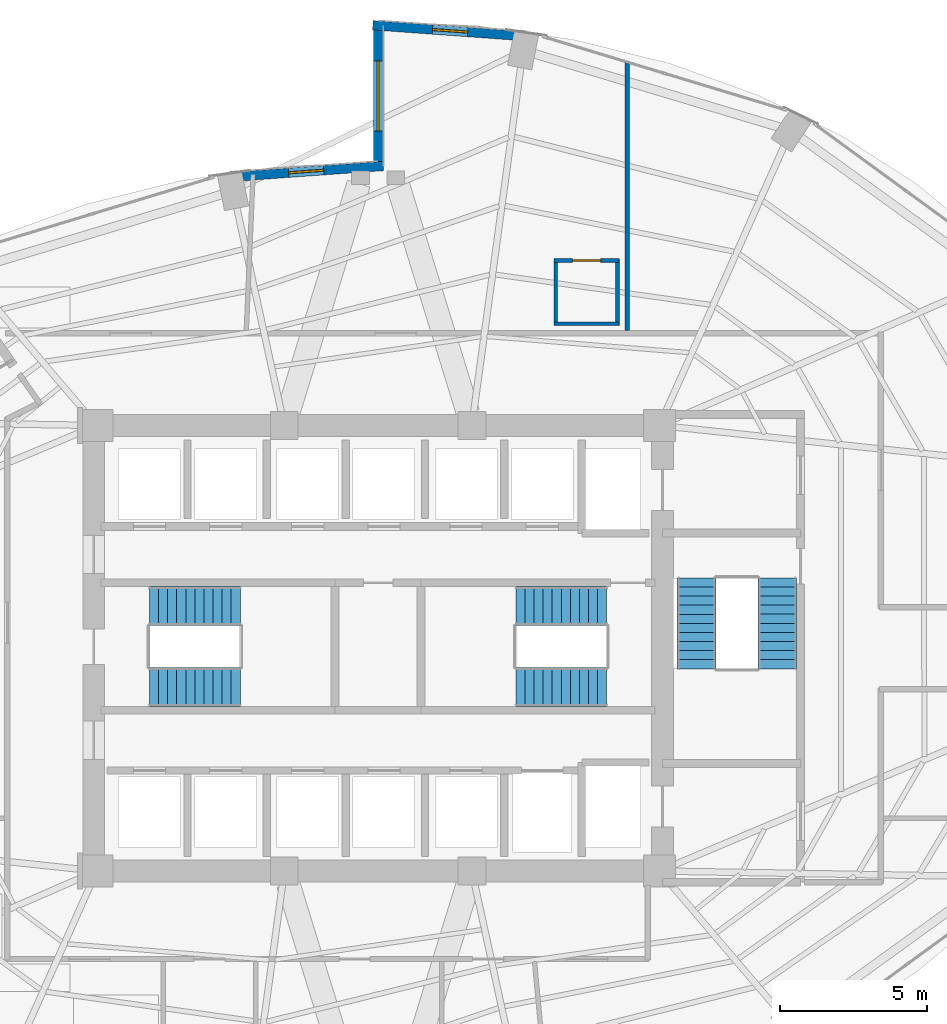
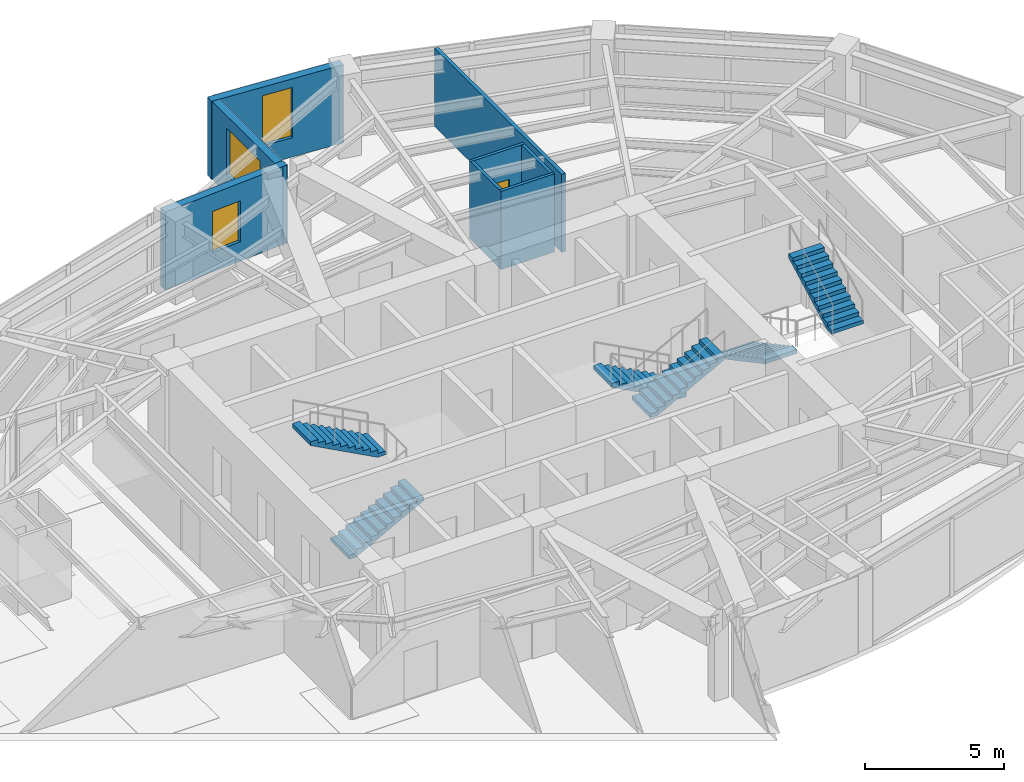
# One storey, part 22 of 24: 8 walls, 6 stair flights, 3 windows, 1 door, 4 openings, 3 elements without a shape of their own.
"""IFC4 building model written with IfcOpenShell, lengths in metres."""

from ifc_helpers import new_model, si_unit, direction, frame, frame_2d, origin, place, context, subcontext, project, spatial, polyline, rectangle, outline, extrude, material, layer, layer_set, type_object, element, fill, aggregate, save


model = new_model("IFC4")

# Units and contexts
model_context = context("Model", 3, precision=1e-05, world=origin(), true_north=direction((0.0, 1.0)))
body_context = subcontext(model_context, "Body", "Model", "MODEL_VIEW")
ifc_project = project(units=[si_unit("LENGTHUNIT", "METRE"), si_unit("AREAUNIT", "SQUARE_METRE"), si_unit("VOLUMEUNIT", "CUBIC_METRE"), si_unit("PLANEANGLEUNIT", "RADIAN"), si_unit("MASSUNIT", "GRAM", prefix="KILO")], contexts=[model_context])

# Site, building, storey
site_placement = place(None, origin())
site = spatial("IfcSite", under=ifc_project, at=site_placement, CompositionType="ELEMENT")
building_placement = place(site_placement, origin())
building = spatial("IfcBuilding", under=site, at=building_placement, Name="Lazwardi Medical Tower", CompositionType="ELEMENT")
storey_placement = place(building_placement, frame((0.0, 0.0, 118.22412109375)))
storey = spatial("IfcBuildingStorey", under=building, at=storey_placement, Name="L30", CompositionType="ELEMENT", Elevation=118.22412109375)

# Wall, opening, door
ifc_material_1 = material(Name="Moisture-resistant gypsum board partition")
ifc_layer_1 = layer(ifc_material_1, 0.125)
ifc_layer_set_1 = layer_set([ifc_layer_1], Name="Moisture-resistant gypsum board partition")
wall_type_1 = type_object("IfcWallType", Name="WL-ENS-125", PredefinedType="PARTITIONING", material=ifc_layer_set_1)
wall_1_placement = place(storey_placement, frame((42.0048828125, 41.22509765625, 0.0), z_axis=(0.0, 0.0, 1.0), x_axis=(1.0, 0.0, 0.0)))
wall_1 = element("IfcWall", 1, at=wall_1_placement, inside=storey, type_object=wall_type_1, Name="L30 En-suite wall 7N", PredefinedType="PARTITIONING", context=body_context, shape_type="SweptSolid", body=[
    extrude(rectangle(XDim=2.22021484375, YDim=0.125, at=frame_2d((1.110107421875, 0.0))), origin(), (0.0, 0.0, 1.0), 3.427978515625),
])
opening_1_placement = place(wall_1_placement, frame((0.635009765625, 0.0, 0.0)))
opening_1 = element("IfcOpeningElement", 2, at=opening_1_placement, cuts=wall_1, Name="Opening D-L30-002", PredefinedType="OPENING", context=body_context, shape_type="SweptSolid", body=[
    extrude(rectangle(XDim=0.949951171875, YDim=2.10009765625, at=frame_2d((0.47509765625, 1.050048828125))), frame((0.0, 0.072509765625, 0.0), z_axis=(0.0, -1.0, 0.0), x_axis=(1.0, 0.0, 0.0)), (0.0, 0.0, 1.0), 0.14501953125),
])
ifc_material_2 = material(Name="Moisture-resistant laminate door leaf")
door_type = type_object("IfcDoorType", Name="DR-ENS-950", OperationType="NOTDEFINED", PredefinedType="DOOR", material=ifc_material_2)
door_placement = place(opening_1_placement, origin())
door = element("IfcDoor", 3, at=door_placement, inside=storey, type_object=door_type, Name="L30 En-suite Door 07", OperationType="SINGLE_SWING_RIGHT", OverallHeight=2.10009765625, OverallWidth=0.949951171875, PredefinedType="DOOR", context=body_context, shape_type="SweptSolid", body=[
    extrude(rectangle(XDim=0.949951171875, YDim=2.10009765625, at=frame_2d((0.47509765625, 1.050048828125))), frame((0.0, 0.02490234375, 0.0), z_axis=(0.0, -1.0, 0.0), x_axis=(1.0, 0.0, 0.0)), (0.0, 0.0, 1.0), 0.050048828125),
])
fill(opening_1, door)

# Walls
wall_2_placement = place(storey_placement, frame((42.0048828125, 39.06494140625, 0.0), z_axis=(0.0, 0.0, 1.0), x_axis=(1.0, 0.0, 0.0)))
element("IfcWall", 4, at=wall_2_placement, inside=storey, type_object=wall_type_1, Name="L30 En-suite wall 7S", PredefinedType="PARTITIONING", context=body_context, shape_type="SweptSolid", body=[
    extrude(rectangle(XDim=2.22021484375, YDim=0.125, at=frame_2d((1.110107421875, 0.0))), origin(), (0.0, 0.0, 1.0), 3.427978515625),
])
for number, where, z_axis, x_axis, name in (
    (5, (44.1650390625, 39.0048828125, 0.0), (0.0, 0.0, 1.0), (0.0, 1.0, 0.0), "L30 En-suite wall 7E"),
    (6, (42.06494140625, 39.0048828125, 0.0), (0.0, 0.0, 1.0), (0.0, 1.0, 0.0), "L30 En-suite wall 7W"),
):
    element("IfcWall", number, at=place(storey_placement, frame(where, z_axis=z_axis, x_axis=x_axis)), inside=storey, type_object=wall_type_1, Name=name, PredefinedType="PARTITIONING", context=body_context, shape_type="SweptSolid", body=[
        extrude(rectangle(XDim=2.280029296875, YDim=0.125, at=frame_2d((1.14013671875, 0.0))), origin(), (0.0, 0.0, 1.0), 3.427978515625),
    ])

# Wall, opening, window
ifc_material_3 = material(Name="Precast concrete C45/55", Category="concrete")
ifc_layer_2 = layer(ifc_material_3, 0.320068359375)
ifc_layer_set_2 = layer_set([ifc_layer_2], Name="Precast concrete C45/55")
wall_type_2 = type_object("IfcWallType", Name="WL-IWAN-320", PredefinedType="SOLIDWALL", material=ifc_layer_set_2)
wall_3_placement = place(storey_placement, frame((41.091064453125, 48.87451171875, 0.0), z_axis=(0.0, 0.0, 1.0), x_axis=(-0.997432364291, 0.071614793619, 0.0)))
wall_3 = element("IfcWall", 7, at=wall_3_placement, inside=storey, type_object=wall_type_2, Name="L30 Iwan Portal Return Wall NE_ret", PredefinedType="SOLIDWALL", context=body_context, shape_type="SweptSolid", body=[
    extrude(rectangle(XDim=5.2841796875, YDim=0.320068359375, at=frame_2d((2.64208984375, 0.0))), origin(), (0.0, 0.0, 1.0), 3.427978515625),
])
opening_2_placement = place(wall_3_placement, frame((2.0419921875, 0.0, 0.85009765625)))
opening_2 = element("IfcOpeningElement", 8, at=opening_2_placement, cuts=wall_3, Name="Opening WN-01", PredefinedType="OPENING", context=body_context, shape_type="SweptSolid", body=[
    extrude(rectangle(XDim=1.199951171875, YDim=2.199951171875, at=frame_2d((0.60009765625, 1.10009765625))), frame((0.0, 0.169921875, 0.0), z_axis=(0.0, -1.0, 0.0), x_axis=(1.0, 0.0, 0.0)), (0.0, 0.0, 1.0), 0.340087890625),
])
ifc_material_4 = material(Name="Low-e bronze solar control double glazing", Category="glass")
window_type_1 = type_object("IfcWindowType", Name="WIN-IW-1200", PartitioningType="SINGLE_PANEL", PredefinedType="WINDOW", material=ifc_material_4)
window_1_placement = place(opening_2_placement, origin())
window_1 = element("IfcWindow", 9, at=window_1_placement, inside=storey, type_object=window_type_1, Name="L30 Iwan Slot Window NE_ret", OverallHeight=2.199951171875, OverallWidth=1.199951171875, PartitioningType="SINGLE_PANEL", PredefinedType="WINDOW", context=body_context, shape_type="SweptSolid", body=[
    extrude(rectangle(XDim=1.199951171875, YDim=2.199951171875, at=frame_2d((0.60009765625, 1.10009765625))), frame((0.0, 0.030029296875, 0.0), z_axis=(0.0, -1.0, 0.0), x_axis=(1.0, 0.0, 0.0)), (0.0, 0.0, 1.0), 0.06005859375),
])
fill(opening_2, window_1)

wall_4_placement = place(storey_placement, frame((36.178955078125, 44.452880859375, 0.0), z_axis=(0.0, 0.0, 1.0), x_axis=(-0.997431890304, -0.071621394884, 0.0)))
wall_4 = element("IfcWall", 10, at=wall_4_placement, inside=storey, type_object=wall_type_2, Name="L30 Iwan Portal Return Wall NW_ret", PredefinedType="SOLIDWALL", context=body_context, shape_type="SweptSolid", body=[
    extrude(rectangle(XDim=5.28369140625, YDim=0.320068359375, at=frame_2d((2.641845703125, 0.0))), origin(), (0.0, 0.0, 1.0), 3.427978515625),
])
opening_3_placement = place(wall_4_placement, frame((2.041748046875, 0.0, 0.85009765625)))
opening_3 = element("IfcOpeningElement", 11, at=opening_3_placement, cuts=wall_4, Name="Opening WN-04", PredefinedType="OPENING", context=body_context, shape_type="SweptSolid", body=[
    extrude(rectangle(XDim=1.199951171875, YDim=1.800048828125, at=frame_2d((0.60009765625, 0.89990234375))), frame((0.0, 0.169921875, 0.0), z_axis=(0.0, -1.0, 0.0), x_axis=(1.0, 0.0, 0.0)), (0.0, 0.0, 1.0), 0.340087890625),
])
window_type_2 = type_object("IfcWindowType", Name="WIN-DRUM-1200", PartitioningType="SINGLE_PANEL", PredefinedType="WINDOW", material=ifc_material_4)
window_2_placement = place(opening_3_placement, origin())
window_2 = element("IfcWindow", 12, at=window_2_placement, inside=storey, type_object=window_type_2, Name="L30 Iwan Slot Window NW_ret", OverallHeight=1.800048828125, OverallWidth=1.199951171875, PartitioningType="SINGLE_PANEL", PredefinedType="WINDOW", context=body_context, shape_type="SweptSolid", body=[
    extrude(rectangle(XDim=1.199951171875, YDim=1.800048828125, at=frame_2d((0.60009765625, 0.89990234375))), frame((0.0, 0.030029296875, 0.0), z_axis=(0.0, -1.0, 0.0), x_axis=(1.0, 0.0, 0.0)), (0.0, 0.0, 1.0), 0.06005859375),
])
fill(opening_3, window_2)

wall_5_placement = place(storey_placement, frame((36.0, 49.39990234375, 0.0), z_axis=(0.0, 0.0, 1.0), x_axis=(0.0, -1.0, 0.0)))
wall_5 = element("IfcWall", 13, at=wall_5_placement, inside=storey, type_object=wall_type_2, Name="L30 Turquoise Tilework Iwan Seam Wall N_seam", PredefinedType="SOLIDWALL", context=body_context, shape_type="SweptSolid", body=[
    extrude(rectangle(XDim=5.119873046875, YDim=0.320068359375, at=frame_2d((2.56005859375, 0.0))), origin(), (0.0, 0.0, 1.0), 3.427978515625),
])
opening_4_placement = place(wall_5_placement, frame((1.360107421875, 0.0, 0.840087890625)))
opening_4 = element("IfcOpeningElement", 14, at=opening_4_placement, cuts=wall_5, Name="Opening WN-02", PredefinedType="OPENING", context=body_context, shape_type="SweptSolid", body=[
    extrude(rectangle(XDim=2.39990234375, YDim=2.0400390625, at=frame_2d((1.199951171875, 1.02001953125))), frame((0.0, 0.169921875, 0.0), z_axis=(0.0, -1.0, 0.0), x_axis=(1.0, 0.0, 0.0)), (0.0, 0.0, 1.0), 0.340087890625),
])
window_type_3 = type_object("IfcWindowType", Name="WIN-IW-2400", PartitioningType="SINGLE_PANEL", PredefinedType="WINDOW", material=ifc_material_4)
window_3_placement = place(opening_4_placement, origin())
window_3 = element("IfcWindow", 15, at=window_3_placement, inside=storey, type_object=window_type_3, Name="L30 Iwan Seam Window N_seam", OverallHeight=2.0400390625, OverallWidth=2.39990234375, PartitioningType="SINGLE_PANEL", PredefinedType="WINDOW", context=body_context, shape_type="SweptSolid", body=[
    extrude(rectangle(XDim=2.39990234375, YDim=2.0400390625, at=frame_2d((1.199951171875, 1.02001953125))), frame((0.0, 0.030029296875, 0.0), z_axis=(0.0, -1.0, 0.0), x_axis=(1.0, 0.0, 0.0)), (0.0, 0.0, 1.0), 0.06005859375),
])
fill(opening_4, window_3)

# Wall
ifc_material_5 = material(Name="Acoustic gypsum board partition")
ifc_layer_3 = layer(ifc_material_5, 0.14990234375)
ifc_layer_set_3 = layer_set([ifc_layer_3], Name="Acoustic gypsum board partition")
wall_type_3 = type_object("IfcWallType", Name="WL-WRD-150", PredefinedType="PARTITIONING", material=ifc_layer_set_3)
wall_6_placement = place(storey_placement, frame((44.5, 38.840087890625, 0.0), z_axis=(0.0, 0.0, 1.0), x_axis=(0.0, 1.0, 0.0)))
element("IfcWall", 16, at=wall_6_placement, inside=storey, type_object=wall_type_3, Name="L30 Room partition 4", PredefinedType="PARTITIONING", context=body_context, shape_type="SweptSolid", body=[
    extrude(rectangle(XDim=9.142578125, YDim=0.14990234375, at=frame_2d((4.5712890625, 0.0))), origin(), (0.0, 0.0, 1.0), 3.427978515625),
])

# Stair, stair flights
ifc_material_6 = material(Name="Concrete C45/55", Category="concrete")
stair_type = type_object("IfcStairType", Name="STR-WRD", PredefinedType="HALF_TURN_STAIR", material=ifc_material_6)
stair_1_placement = place(storey_placement, origin())
stair_1 = element("IfcStair", 17, at=stair_1_placement, inside=storey, type_object=stair_type, Name="L30 Protected Exit Stair ST1", PredefinedType="HALF_TURN_STAIR")
stair_flight_type = type_object("IfcStairFlightType", Name="FLT-WRD", PredefinedType="STRAIGHT", material=ifc_material_6)
stair_flight_1_placement = place(storey_placement, frame((28.199951171875, 26.679931640625, 0.0), z_axis=(0.0, 0.0, 1.0), x_axis=(1.0, 0.0, 0.0)))
stair_flight_1 = element("IfcStairFlight", 18, at=stair_flight_1_placement, type_object=stair_flight_type, Name="ST1 flight 1", NumberOfRisers=11, NumberOfTreads=10, PredefinedType="STRAIGHT", RiserHeight=0.165818182, TreadLength=0.31, context=body_context, shape_type="SweptSolid", body=[
    extrude(outline(polyline([(0.0, 0.0), (0.0, 0.165771484375), (0.31005859375, 0.165771484375), (0.31005859375, 0.33154296875), (0.6201171875, 0.33154296875), (0.6201171875, 0.49755859375), (0.929931640625, 0.49755859375), (0.929931640625, 0.663330078125), (1.239990234375, 0.663330078125), (1.239990234375, 0.8291015625), (1.550048828125, 0.8291015625), (1.550048828125, 0.994873046875), (1.860107421875, 0.994873046875), (1.860107421875, 1.16064453125), (2.169921875, 1.16064453125), (2.169921875, 1.32666015625), (2.47998046875, 1.32666015625), (2.47998046875, 1.492431640625), (2.7900390625, 1.492431640625), (2.7900390625, 1.658203125), (3.10009765625, 1.658203125), (3.10009765625, 1.823974609375), (3.10009765625, 1.48828125), (0.31787109375, 0.0), (0.0, 0.0)])), frame((0.0, 0.66015625, 0.0), z_axis=(0.0, -1.0, 0.0), x_axis=(1.0, 0.0, 0.0)), (0.0, 0.0, 1.0), 1.320068359375),
])
stair_flight_2_placement = place(storey_placement, frame((31.300048828125, 29.43994140625, 1.823974609375), z_axis=(0.0, 0.0, 1.0), x_axis=(-1.0, 0.0, 0.0)))
stair_flight_2 = element("IfcStairFlight", 19, at=stair_flight_2_placement, type_object=stair_flight_type, Name="ST1 flight 2", NumberOfRisers=11, NumberOfTreads=10, PredefinedType="STRAIGHT", RiserHeight=0.165818182, TreadLength=0.31, context=body_context, shape_type="SweptSolid", body=[
    extrude(outline(polyline([(0.0, 0.0), (0.0, 0.165771484375), (0.31005859375, 0.165771484375), (0.31005859375, 0.33154296875), (0.6201171875, 0.33154296875), (0.6201171875, 0.49755859375), (0.929931640625, 0.49755859375), (0.929931640625, 0.663330078125), (1.239990234375, 0.663330078125), (1.239990234375, 0.8291015625), (1.550048828125, 0.8291015625), (1.550048828125, 0.994873046875), (1.860107421875, 0.994873046875), (1.860107421875, 1.16064453125), (2.169921875, 1.16064453125), (2.169921875, 1.32666015625), (2.47998046875, 1.32666015625), (2.47998046875, 1.492431640625), (2.7900390625, 1.492431640625), (2.7900390625, 1.658203125), (3.10009765625, 1.658203125), (3.10009765625, 1.823974609375), (3.10009765625, 1.48828125), (0.31787109375, 0.0), (0.0, 0.0)])), frame((0.0, 0.66015625, 0.0), z_axis=(0.0, -1.0, 0.0), x_axis=(1.0, 0.0, 0.0)), (0.0, 0.0, 1.0), 1.320068359375),
])
aggregate(stair_1, [stair_flight_1, stair_flight_2])

stair_2_placement = place(storey_placement, origin())
stair_2 = element("IfcStair", 20, at=stair_2_placement, inside=storey, type_object=stair_type, Name="L30 Protected Exit Stair ST2", PredefinedType="HALF_TURN_STAIR")
stair_flight_3_placement = place(storey_placement, frame((43.800048828125, 29.43994140625, 0.0), z_axis=(0.0, 0.0, 1.0), x_axis=(-1.0, 0.0, 0.0)))
stair_flight_3 = element("IfcStairFlight", 21, at=stair_flight_3_placement, type_object=stair_flight_type, Name="ST2 flight 1", NumberOfRisers=11, NumberOfTreads=10, PredefinedType="STRAIGHT", RiserHeight=0.165818182, TreadLength=0.31, context=body_context, shape_type="SweptSolid", body=[
    extrude(outline(polyline([(0.0, 0.0), (0.0, 0.165771484375), (0.31005859375, 0.165771484375), (0.31005859375, 0.33154296875), (0.6201171875, 0.33154296875), (0.6201171875, 0.49755859375), (0.929931640625, 0.49755859375), (0.929931640625, 0.663330078125), (1.239990234375, 0.663330078125), (1.239990234375, 0.8291015625), (1.550048828125, 0.8291015625), (1.550048828125, 0.994873046875), (1.860107421875, 0.994873046875), (1.860107421875, 1.16064453125), (2.169921875, 1.16064453125), (2.169921875, 1.32666015625), (2.47998046875, 1.32666015625), (2.47998046875, 1.492431640625), (2.7900390625, 1.492431640625), (2.7900390625, 1.658203125), (3.10009765625, 1.658203125), (3.10009765625, 1.823974609375), (3.10009765625, 1.48828125), (0.31787109375, 0.0), (0.0, 0.0)])), frame((0.0, 0.66015625, 0.0), z_axis=(0.0, -1.0, 0.0), x_axis=(1.0, 0.0, 0.0)), (0.0, 0.0, 1.0), 1.320068359375),
])
stair_flight_4_placement = place(storey_placement, frame((40.699951171875, 26.679931640625, 1.823974609375), z_axis=(0.0, 0.0, 1.0), x_axis=(1.0, 0.0, 0.0)))
stair_flight_4 = element("IfcStairFlight", 22, at=stair_flight_4_placement, type_object=stair_flight_type, Name="ST2 flight 2", NumberOfRisers=11, NumberOfTreads=10, PredefinedType="STRAIGHT", RiserHeight=0.165818182, TreadLength=0.31, context=body_context, shape_type="SweptSolid", body=[
    extrude(outline(polyline([(0.0, 0.0), (0.0, 0.165771484375), (0.31005859375, 0.165771484375), (0.31005859375, 0.33154296875), (0.6201171875, 0.33154296875), (0.6201171875, 0.49755859375), (0.929931640625, 0.49755859375), (0.929931640625, 0.663330078125), (1.239990234375, 0.663330078125), (1.239990234375, 0.8291015625), (1.550048828125, 0.8291015625), (1.550048828125, 0.994873046875), (1.860107421875, 0.994873046875), (1.860107421875, 1.16064453125), (2.169921875, 1.16064453125), (2.169921875, 1.32666015625), (2.47998046875, 1.32666015625), (2.47998046875, 1.492431640625), (2.7900390625, 1.492431640625), (2.7900390625, 1.658203125), (3.10009765625, 1.658203125), (3.10009765625, 1.823974609375), (3.10009765625, 1.48828125), (0.31787109375, 0.0), (0.0, 0.0)])), frame((0.0, 0.66015625, 0.0), z_axis=(0.0, -1.0, 0.0), x_axis=(1.0, 0.0, 0.0)), (0.0, 0.0, 1.0), 1.320068359375),
])
aggregate(stair_2, [stair_flight_3, stair_flight_4])

stair_3_placement = place(storey_placement, origin())
stair_3 = element("IfcStair", 23, at=stair_3_placement, inside=storey, type_object=stair_type, Name="L30 Protected Exit Stair ST3", PredefinedType="HALF_TURN_STAIR")
stair_flight_5_placement = place(storey_placement, frame((46.860107421875, 30.39990234375, 0.0), z_axis=(0.0, 0.0, 1.0), x_axis=(0.0, -1.0, 0.0)))
stair_flight_5 = element("IfcStairFlight", 24, at=stair_flight_5_placement, type_object=stair_flight_type, Name="ST3 flight 1", NumberOfRisers=11, NumberOfTreads=10, PredefinedType="STRAIGHT", RiserHeight=0.165818182, TreadLength=0.31, context=body_context, shape_type="SweptSolid", body=[
    extrude(outline(polyline([(0.0, 0.0), (0.0, 0.165771484375), (0.31005859375, 0.165771484375), (0.31005859375, 0.33154296875), (0.6201171875, 0.33154296875), (0.6201171875, 0.49755859375), (0.929931640625, 0.49755859375), (0.929931640625, 0.663330078125), (1.239990234375, 0.663330078125), (1.239990234375, 0.8291015625), (1.550048828125, 0.8291015625), (1.550048828125, 0.994873046875), (1.860107421875, 0.994873046875), (1.860107421875, 1.16064453125), (2.169921875, 1.16064453125), (2.169921875, 1.32666015625), (2.47998046875, 1.32666015625), (2.47998046875, 1.492431640625), (2.7900390625, 1.492431640625), (2.7900390625, 1.658203125), (3.10009765625, 1.658203125), (3.10009765625, 1.823974609375), (3.10009765625, 1.48828125), (0.31787109375, 0.0), (0.0, 0.0)])), frame((0.0, 0.66015625, 0.0), z_axis=(0.0, -1.0, 0.0), x_axis=(1.0, 0.0, 0.0)), (0.0, 0.0, 1.0), 1.320068359375),
])
stair_flight_6_placement = place(storey_placement, frame((49.6201171875, 27.300048828125, 1.823974609375), z_axis=(0.0, 0.0, 1.0), x_axis=(0.0, 1.0, 0.0)))
stair_flight_6 = element("IfcStairFlight", 25, at=stair_flight_6_placement, type_object=stair_flight_type, Name="ST3 flight 2", NumberOfRisers=11, NumberOfTreads=10, PredefinedType="STRAIGHT", RiserHeight=0.165818182, TreadLength=0.31, context=body_context, shape_type="SweptSolid", body=[
    extrude(outline(polyline([(0.0, 0.0), (0.0, 0.165771484375), (0.31005859375, 0.165771484375), (0.31005859375, 0.33154296875), (0.6201171875, 0.33154296875), (0.6201171875, 0.49755859375), (0.929931640625, 0.49755859375), (0.929931640625, 0.663330078125), (1.239990234375, 0.663330078125), (1.239990234375, 0.8291015625), (1.550048828125, 0.8291015625), (1.550048828125, 0.994873046875), (1.860107421875, 0.994873046875), (1.860107421875, 1.16064453125), (2.169921875, 1.16064453125), (2.169921875, 1.32666015625), (2.47998046875, 1.32666015625), (2.47998046875, 1.492431640625), (2.7900390625, 1.492431640625), (2.7900390625, 1.658203125), (3.10009765625, 1.658203125), (3.10009765625, 1.823974609375), (3.10009765625, 1.48828125), (0.31787109375, 0.0), (0.0, 0.0)])), frame((0.0, 0.66015625, 0.0), z_axis=(0.0, -1.0, 0.0), x_axis=(1.0, 0.0, 0.0)), (0.0, 0.0, 1.0), 1.320068359375),
])
aggregate(stair_3, [stair_flight_5, stair_flight_6])

save(model, "model.ifc")
